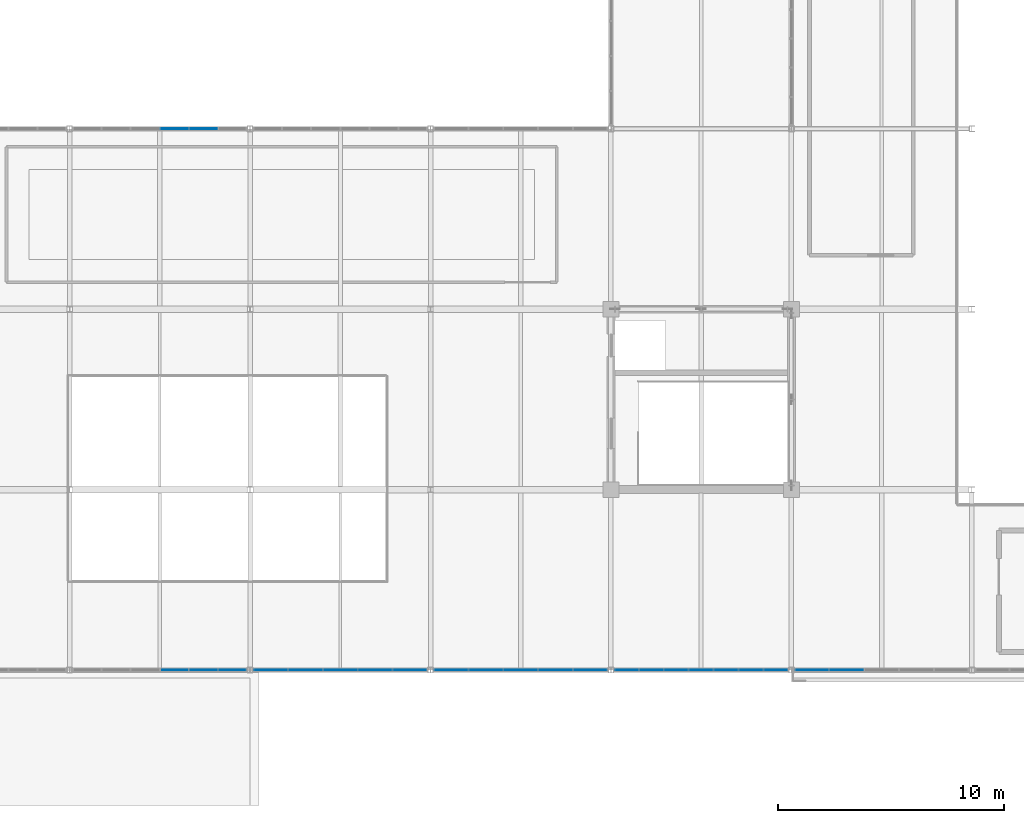
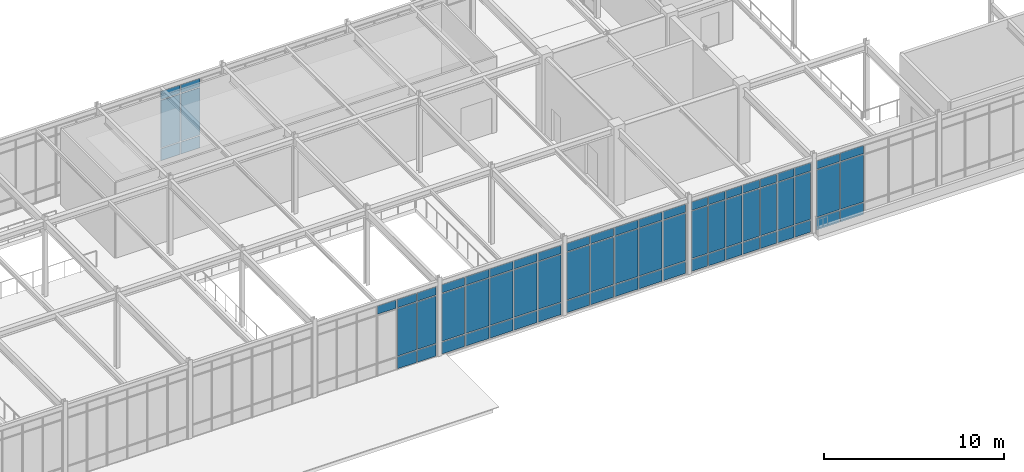
# One storey, part 92 of 184: 70 plates, 6 elements without a shape of their own.
"""IFC4 building model written with IfcOpenShell, lengths in metres."""

from ifc_helpers import new_model, si_unit, direction, frame, origin, origin_2d, place, context, subcontext, project, spatial, rectangle, extrude, material, layer, layer_set, type_object, element, aggregate, save


model = new_model("IFC4")

# Units and contexts
model_context = context("Model", 3, precision=1e-05, world=origin(), true_north=direction((0.0, 1.0)))
body_context = subcontext(model_context, "Body", "Model", "MODEL_VIEW")
ifc_project = project(units=[si_unit("LENGTHUNIT", "METRE"), si_unit("AREAUNIT", "SQUARE_METRE"), si_unit("VOLUMEUNIT", "CUBIC_METRE"), si_unit("PLANEANGLEUNIT", "RADIAN"), si_unit("MASSUNIT", "GRAM", prefix="KILO")], contexts=[model_context])

# Site, building, storey
site_placement = place(None, origin())
site = spatial("IfcSite", under=ifc_project, at=site_placement, CompositionType="ELEMENT")
building_placement = place(site_placement, origin())
building = spatial("IfcBuilding", under=site, at=building_placement, Name="Zhaolan Boulevard Law Courts", CompositionType="ELEMENT")
storey_placement = place(building_placement, frame((0.0, 0.0, 5.39990234375)))
storey = spatial("IfcBuildingStorey", under=building, at=storey_placement, Name="L01", CompositionType="ELEMENT", Elevation=5.39990234375)

# Curtain wall, plates
ifc_material_1 = material(Name="Thermally broken aluminium and low-E glazing", Category="aluminium")
curtain_wall_type_1 = type_object("IfcCurtainWallType", Name="CURTAIN WALL M15", PredefinedType="USERDEFINED", material=ifc_material_1)
curtain_wall_1_placement = place(storey_placement, origin())
curtain_wall_1 = element("IfcCurtainWall", 1, at=curtain_wall_1_placement, inside=storey, type_object=curtain_wall_type_1, Name="Curtain Wall CW-L01-039", ObjectType="CURTAIN WALL", PredefinedType="USERDEFINED")
ifc_material_2 = material(Name="Acoustic laminated low-E glazing", Category="glass")
ifc_layer = layer(ifc_material_2, 0.031982421875)
ifc_layer_set = layer_set([ifc_layer])
plate_type = type_object("IfcPlateType", Name="CWPANEL LOW E32", PredefinedType="CURTAIN_PANEL", material=ifc_layer_set)
plate_1_placement = place(storey_placement, frame((96.6455078125, 6.0, 4.20556640625), z_axis=(0.0, 0.0, 1.0), x_axis=(1.0, 0.0, 0.0)))
plate_1 = element("IfcPlate", 2, at=plate_1_placement, type_object=plate_type, Name="CW-L01-039 panel 4.3", PredefinedType="CURTAIN_PANEL", context=body_context, shape_type="SweptSolid", body=[
    extrude(rectangle(XDim=1.22607421875, YDim=0.031982421875, at=origin_2d()), origin(), (0.0, 0.0, 1.0), 0.552490234375),
])
plate_2_placement = place(storey_placement, frame((97.9365234375, 6.0, 0.06494140625), z_axis=(0.0, 0.0, 1.0), x_axis=(1.0, 0.0, 0.0)))
plate_2 = element("IfcPlate", 3, at=plate_2_placement, type_object=plate_type, Name="CW-L01-039 panel 5.1", PredefinedType="CURTAIN_PANEL", context=body_context, shape_type="SweptSolid", body=[
    extrude(rectangle(XDim=1.22607421875, YDim=0.031982421875, at=origin_2d()), origin(), (0.0, 0.0, 1.0), 0.802490234375),
])
plate_3_placement = place(storey_placement, frame((97.9365234375, 6.0, 0.9326171875), z_axis=(0.0, 0.0, 1.0), x_axis=(1.0, 0.0, 0.0)))
plate_3 = element("IfcPlate", 4, at=plate_3_placement, type_object=plate_type, Name="CW-L01-039 panel 5.2", PredefinedType="CURTAIN_PANEL", context=body_context, shape_type="SweptSolid", body=[
    extrude(rectangle(XDim=1.22607421875, YDim=0.031982421875, at=origin_2d()), origin(), (0.0, 0.0, 1.0), 3.2080078125),
])
plate_4_placement = place(storey_placement, frame((97.9365234375, 6.0, 4.20556640625), z_axis=(0.0, 0.0, 1.0), x_axis=(1.0, 0.0, 0.0)))
plate_4 = element("IfcPlate", 5, at=plate_4_placement, type_object=plate_type, Name="CW-L01-039 panel 5.3", PredefinedType="CURTAIN_PANEL", context=body_context, shape_type="SweptSolid", body=[
    extrude(rectangle(XDim=1.22607421875, YDim=0.031982421875, at=origin_2d()), origin(), (0.0, 0.0, 1.0), 0.552490234375),
])
plate_5_placement = place(storey_placement, frame((99.211181640625, 6.0, 0.06494140625), z_axis=(0.0, 0.0, 1.0), x_axis=(1.0, 0.0, 0.0)))
plate_5 = element("IfcPlate", 6, at=plate_5_placement, type_object=plate_type, Name="CW-L01-039 panel 6.1", PredefinedType="CURTAIN_PANEL", context=body_context, shape_type="SweptSolid", body=[
    extrude(rectangle(XDim=1.193603515625, YDim=0.031982421875, at=origin_2d()), origin(), (0.0, 0.0, 1.0), 0.802490234375),
])
plate_6_placement = place(storey_placement, frame((99.211181640625, 6.0, 0.9326171875), z_axis=(0.0, 0.0, 1.0), x_axis=(1.0, 0.0, 0.0)))
plate_6 = element("IfcPlate", 7, at=plate_6_placement, type_object=plate_type, Name="CW-L01-039 panel 6.2", PredefinedType="CURTAIN_PANEL", context=body_context, shape_type="SweptSolid", body=[
    extrude(rectangle(XDim=1.193603515625, YDim=0.031982421875, at=origin_2d()), origin(), (0.0, 0.0, 1.0), 3.2080078125),
])
plate_7_placement = place(storey_placement, frame((99.211181640625, 6.0, 4.20556640625), z_axis=(0.0, 0.0, 1.0), x_axis=(1.0, 0.0, 0.0)))
plate_7 = element("IfcPlate", 8, at=plate_7_placement, type_object=plate_type, Name="CW-L01-039 panel 6.3", PredefinedType="CURTAIN_PANEL", context=body_context, shape_type="SweptSolid", body=[
    extrude(rectangle(XDim=1.193603515625, YDim=0.031982421875, at=origin_2d()), origin(), (0.0, 0.0, 1.0), 0.552490234375),
])
aggregate(curtain_wall_1, [plate_1, plate_2, plate_3, plate_4, plate_5, plate_6, plate_7])

ifc_material_3 = material(Name="Thermally broken aluminium and low-E glazing", Category="aluminium")
curtain_wall_type_2 = type_object("IfcCurtainWallType", Name="CURTAIN WALL M16", PredefinedType="USERDEFINED", material=ifc_material_3)
curtain_wall_2_placement = place(storey_placement, origin())
curtain_wall_2 = element("IfcCurtainWall", 9, at=curtain_wall_2_placement, inside=storey, type_object=curtain_wall_type_2, Name="Curtain Wall CW-L01-040", ObjectType="CURTAIN WALL", PredefinedType="USERDEFINED")
plate_8_placement = place(storey_placement, frame((100.91796875, 6.0, 0.06494140625), z_axis=(0.0, 0.0, 1.0), x_axis=(1.0, 0.0, 0.0)))
plate_8 = element("IfcPlate", 10, at=plate_8_placement, type_object=plate_type, Name="CW-L01-040 panel 1.1", PredefinedType="CURTAIN_PANEL", context=body_context, shape_type="SweptSolid", body=[
    extrude(rectangle(XDim=1.45166015625, YDim=0.031982421875, at=origin_2d()), origin(), (0.0, 0.0, 1.0), 0.802490234375),
])
plate_9_placement = place(storey_placement, frame((100.91796875, 6.0, 0.9326171875), z_axis=(0.0, 0.0, 1.0), x_axis=(1.0, 0.0, 0.0)))
plate_9 = element("IfcPlate", 11, at=plate_9_placement, type_object=plate_type, Name="CW-L01-040 panel 1.2", PredefinedType="CURTAIN_PANEL", context=body_context, shape_type="SweptSolid", body=[
    extrude(rectangle(XDim=1.45166015625, YDim=0.031982421875, at=origin_2d()), origin(), (0.0, 0.0, 1.0), 3.2080078125),
])
plate_10_placement = place(storey_placement, frame((100.91796875, 6.0, 4.20556640625), z_axis=(0.0, 0.0, 1.0), x_axis=(1.0, 0.0, 0.0)))
plate_10 = element("IfcPlate", 12, at=plate_10_placement, type_object=plate_type, Name="CW-L01-040 panel 1.3", PredefinedType="CURTAIN_PANEL", context=body_context, shape_type="SweptSolid", body=[
    extrude(rectangle(XDim=1.45166015625, YDim=0.031982421875, at=origin_2d()), origin(), (0.0, 0.0, 1.0), 0.552490234375),
])
plate_11_placement = place(storey_placement, frame((102.45068359375, 6.0, 0.06494140625), z_axis=(0.0, 0.0, 1.0), x_axis=(1.0, 0.0, 0.0)))
plate_11 = element("IfcPlate", 13, at=plate_11_placement, type_object=plate_type, Name="CW-L01-040 panel 2.1", PredefinedType="CURTAIN_PANEL", context=body_context, shape_type="SweptSolid", body=[
    extrude(rectangle(XDim=1.484130859375, YDim=0.031982421875, at=origin_2d()), origin(), (0.0, 0.0, 1.0), 0.802490234375),
])
plate_12_placement = place(storey_placement, frame((102.45068359375, 6.0, 0.9326171875), z_axis=(0.0, 0.0, 1.0), x_axis=(1.0, 0.0, 0.0)))
plate_12 = element("IfcPlate", 14, at=plate_12_placement, type_object=plate_type, Name="CW-L01-040 panel 2.2", PredefinedType="CURTAIN_PANEL", context=body_context, shape_type="SweptSolid", body=[
    extrude(rectangle(XDim=1.484130859375, YDim=0.031982421875, at=origin_2d()), origin(), (0.0, 0.0, 1.0), 3.2080078125),
])
plate_13_placement = place(storey_placement, frame((102.45068359375, 6.0, 4.20556640625), z_axis=(0.0, 0.0, 1.0), x_axis=(1.0, 0.0, 0.0)))
plate_13 = element("IfcPlate", 15, at=plate_13_placement, type_object=plate_type, Name="CW-L01-040 panel 2.3", PredefinedType="CURTAIN_PANEL", context=body_context, shape_type="SweptSolid", body=[
    extrude(rectangle(XDim=1.484130859375, YDim=0.031982421875, at=origin_2d()), origin(), (0.0, 0.0, 1.0), 0.552490234375),
])
plate_14_placement = place(storey_placement, frame((104.0, 6.0, 0.06494140625), z_axis=(0.0, 0.0, 1.0), x_axis=(1.0, 0.0, 0.0)))
plate_14 = element("IfcPlate", 16, at=plate_14_placement, type_object=plate_type, Name="CW-L01-040 panel 3.1", PredefinedType="CURTAIN_PANEL", context=body_context, shape_type="SweptSolid", body=[
    extrude(rectangle(XDim=1.484130859375, YDim=0.031982421875, at=origin_2d()), origin(), (0.0, 0.0, 1.0), 0.802490234375),
])
plate_15_placement = place(storey_placement, frame((104.0, 6.0, 0.9326171875), z_axis=(0.0, 0.0, 1.0), x_axis=(1.0, 0.0, 0.0)))
plate_15 = element("IfcPlate", 17, at=plate_15_placement, type_object=plate_type, Name="CW-L01-040 panel 3.2", PredefinedType="CURTAIN_PANEL", context=body_context, shape_type="SweptSolid", body=[
    extrude(rectangle(XDim=1.484130859375, YDim=0.031982421875, at=origin_2d()), origin(), (0.0, 0.0, 1.0), 3.2080078125),
])
plate_16_placement = place(storey_placement, frame((104.0, 6.0, 4.20556640625), z_axis=(0.0, 0.0, 1.0), x_axis=(1.0, 0.0, 0.0)))
plate_16 = element("IfcPlate", 18, at=plate_16_placement, type_object=plate_type, Name="CW-L01-040 panel 3.3", PredefinedType="CURTAIN_PANEL", context=body_context, shape_type="SweptSolid", body=[
    extrude(rectangle(XDim=1.484130859375, YDim=0.031982421875, at=origin_2d()), origin(), (0.0, 0.0, 1.0), 0.552490234375),
])
plate_17_placement = place(storey_placement, frame((105.54931640625, 6.0, 0.06494140625), z_axis=(0.0, 0.0, 1.0), x_axis=(1.0, 0.0, 0.0)))
plate_17 = element("IfcPlate", 19, at=plate_17_placement, type_object=plate_type, Name="CW-L01-040 panel 4.1", PredefinedType="CURTAIN_PANEL", context=body_context, shape_type="SweptSolid", body=[
    extrude(rectangle(XDim=1.484130859375, YDim=0.031982421875, at=origin_2d()), origin(), (0.0, 0.0, 1.0), 0.802490234375),
])
plate_18_placement = place(storey_placement, frame((105.54931640625, 6.0, 0.9326171875), z_axis=(0.0, 0.0, 1.0), x_axis=(1.0, 0.0, 0.0)))
plate_18 = element("IfcPlate", 20, at=plate_18_placement, type_object=plate_type, Name="CW-L01-040 panel 4.2", PredefinedType="CURTAIN_PANEL", context=body_context, shape_type="SweptSolid", body=[
    extrude(rectangle(XDim=1.484130859375, YDim=0.031982421875, at=origin_2d()), origin(), (0.0, 0.0, 1.0), 3.2080078125),
])
plate_19_placement = place(storey_placement, frame((105.54931640625, 6.0, 4.20556640625), z_axis=(0.0, 0.0, 1.0), x_axis=(1.0, 0.0, 0.0)))
plate_19 = element("IfcPlate", 21, at=plate_19_placement, type_object=plate_type, Name="CW-L01-040 panel 4.3", PredefinedType="CURTAIN_PANEL", context=body_context, shape_type="SweptSolid", body=[
    extrude(rectangle(XDim=1.484130859375, YDim=0.031982421875, at=origin_2d()), origin(), (0.0, 0.0, 1.0), 0.552490234375),
])
plate_20_placement = place(storey_placement, frame((107.08203125, 6.0, 0.06494140625), z_axis=(0.0, 0.0, 1.0), x_axis=(1.0, 0.0, 0.0)))
plate_20 = element("IfcPlate", 22, at=plate_20_placement, type_object=plate_type, Name="CW-L01-040 panel 5.1", PredefinedType="CURTAIN_PANEL", context=body_context, shape_type="SweptSolid", body=[
    extrude(rectangle(XDim=1.45166015625, YDim=0.031982421875, at=origin_2d()), origin(), (0.0, 0.0, 1.0), 0.802490234375),
])
plate_21_placement = place(storey_placement, frame((107.08203125, 6.0, 0.9326171875), z_axis=(0.0, 0.0, 1.0), x_axis=(1.0, 0.0, 0.0)))
plate_21 = element("IfcPlate", 23, at=plate_21_placement, type_object=plate_type, Name="CW-L01-040 panel 5.2", PredefinedType="CURTAIN_PANEL", context=body_context, shape_type="SweptSolid", body=[
    extrude(rectangle(XDim=1.45166015625, YDim=0.031982421875, at=origin_2d()), origin(), (0.0, 0.0, 1.0), 3.2080078125),
])
plate_22_placement = place(storey_placement, frame((107.08203125, 6.0, 4.20556640625), z_axis=(0.0, 0.0, 1.0), x_axis=(1.0, 0.0, 0.0)))
plate_22 = element("IfcPlate", 24, at=plate_22_placement, type_object=plate_type, Name="CW-L01-040 panel 5.3", PredefinedType="CURTAIN_PANEL", context=body_context, shape_type="SweptSolid", body=[
    extrude(rectangle(XDim=1.45166015625, YDim=0.031982421875, at=origin_2d()), origin(), (0.0, 0.0, 1.0), 0.552490234375),
])
aggregate(curtain_wall_2, [plate_8, plate_9, plate_10, plate_11, plate_12, plate_13, plate_14, plate_15, plate_16, plate_17, plate_18, plate_19, plate_20, plate_21, plate_22])

ifc_material_4 = material(Name="Thermally broken aluminium and low-E glazing", Category="aluminium")
curtain_wall_type_3 = type_object("IfcCurtainWallType", Name="CURTAIN WALL M17", PredefinedType="USERDEFINED", material=ifc_material_4)
curtain_wall_3_placement = place(storey_placement, origin())
curtain_wall_3 = element("IfcCurtainWall", 25, at=curtain_wall_3_placement, inside=storey, type_object=curtain_wall_type_3, Name="Curtain Wall CW-L01-041", ObjectType="CURTAIN WALL", PredefinedType="USERDEFINED")
plate_23_placement = place(storey_placement, frame((108.91796875, 6.0, 0.06494140625), z_axis=(0.0, 0.0, 1.0), x_axis=(1.0, 0.0, 0.0)))
plate_23 = element("IfcPlate", 26, at=plate_23_placement, type_object=plate_type, Name="CW-L01-041 panel 1.1", PredefinedType="CURTAIN_PANEL", context=body_context, shape_type="SweptSolid", body=[
    extrude(rectangle(XDim=1.45166015625, YDim=0.031982421875, at=origin_2d()), origin(), (0.0, 0.0, 1.0), 0.802490234375),
])
plate_24_placement = place(storey_placement, frame((108.91796875, 6.0, 0.9326171875), z_axis=(0.0, 0.0, 1.0), x_axis=(1.0, 0.0, 0.0)))
plate_24 = element("IfcPlate", 27, at=plate_24_placement, type_object=plate_type, Name="CW-L01-041 panel 1.2", PredefinedType="CURTAIN_PANEL", context=body_context, shape_type="SweptSolid", body=[
    extrude(rectangle(XDim=1.45166015625, YDim=0.031982421875, at=origin_2d()), origin(), (0.0, 0.0, 1.0), 3.2080078125),
])
plate_25_placement = place(storey_placement, frame((108.91796875, 6.0, 4.20556640625), z_axis=(0.0, 0.0, 1.0), x_axis=(1.0, 0.0, 0.0)))
plate_25 = element("IfcPlate", 28, at=plate_25_placement, type_object=plate_type, Name="CW-L01-041 panel 1.3", PredefinedType="CURTAIN_PANEL", context=body_context, shape_type="SweptSolid", body=[
    extrude(rectangle(XDim=1.45166015625, YDim=0.031982421875, at=origin_2d()), origin(), (0.0, 0.0, 1.0), 0.552490234375),
])
plate_26_placement = place(storey_placement, frame((110.45068359375, 6.0, 0.06494140625), z_axis=(0.0, 0.0, 1.0), x_axis=(1.0, 0.0, 0.0)))
plate_26 = element("IfcPlate", 29, at=plate_26_placement, type_object=plate_type, Name="CW-L01-041 panel 2.1", PredefinedType="CURTAIN_PANEL", context=body_context, shape_type="SweptSolid", body=[
    extrude(rectangle(XDim=1.484130859375, YDim=0.031982421875, at=origin_2d()), origin(), (0.0, 0.0, 1.0), 0.802490234375),
])
plate_27_placement = place(storey_placement, frame((110.45068359375, 6.0, 0.9326171875), z_axis=(0.0, 0.0, 1.0), x_axis=(1.0, 0.0, 0.0)))
plate_27 = element("IfcPlate", 30, at=plate_27_placement, type_object=plate_type, Name="CW-L01-041 panel 2.2", PredefinedType="CURTAIN_PANEL", context=body_context, shape_type="SweptSolid", body=[
    extrude(rectangle(XDim=1.484130859375, YDim=0.031982421875, at=origin_2d()), origin(), (0.0, 0.0, 1.0), 3.2080078125),
])
plate_28_placement = place(storey_placement, frame((110.45068359375, 6.0, 4.20556640625), z_axis=(0.0, 0.0, 1.0), x_axis=(1.0, 0.0, 0.0)))
plate_28 = element("IfcPlate", 31, at=plate_28_placement, type_object=plate_type, Name="CW-L01-041 panel 2.3", PredefinedType="CURTAIN_PANEL", context=body_context, shape_type="SweptSolid", body=[
    extrude(rectangle(XDim=1.484130859375, YDim=0.031982421875, at=origin_2d()), origin(), (0.0, 0.0, 1.0), 0.552490234375),
])
plate_29_placement = place(storey_placement, frame((112.0, 6.0, 0.06494140625), z_axis=(0.0, 0.0, 1.0), x_axis=(1.0, 0.0, 0.0)))
plate_29 = element("IfcPlate", 32, at=plate_29_placement, type_object=plate_type, Name="CW-L01-041 panel 3.1", PredefinedType="CURTAIN_PANEL", context=body_context, shape_type="SweptSolid", body=[
    extrude(rectangle(XDim=1.484130859375, YDim=0.031982421875, at=origin_2d()), origin(), (0.0, 0.0, 1.0), 0.802490234375),
])
plate_30_placement = place(storey_placement, frame((112.0, 6.0, 0.9326171875), z_axis=(0.0, 0.0, 1.0), x_axis=(1.0, 0.0, 0.0)))
plate_30 = element("IfcPlate", 33, at=plate_30_placement, type_object=plate_type, Name="CW-L01-041 panel 3.2", PredefinedType="CURTAIN_PANEL", context=body_context, shape_type="SweptSolid", body=[
    extrude(rectangle(XDim=1.484130859375, YDim=0.031982421875, at=origin_2d()), origin(), (0.0, 0.0, 1.0), 3.2080078125),
])
plate_31_placement = place(storey_placement, frame((112.0, 6.0, 4.20556640625), z_axis=(0.0, 0.0, 1.0), x_axis=(1.0, 0.0, 0.0)))
plate_31 = element("IfcPlate", 34, at=plate_31_placement, type_object=plate_type, Name="CW-L01-041 panel 3.3", PredefinedType="CURTAIN_PANEL", context=body_context, shape_type="SweptSolid", body=[
    extrude(rectangle(XDim=1.484130859375, YDim=0.031982421875, at=origin_2d()), origin(), (0.0, 0.0, 1.0), 0.552490234375),
])
plate_32_placement = place(storey_placement, frame((113.54931640625, 6.0, 0.06494140625), z_axis=(0.0, 0.0, 1.0), x_axis=(1.0, 0.0, 0.0)))
plate_32 = element("IfcPlate", 35, at=plate_32_placement, type_object=plate_type, Name="CW-L01-041 panel 4.1", PredefinedType="CURTAIN_PANEL", context=body_context, shape_type="SweptSolid", body=[
    extrude(rectangle(XDim=1.484130859375, YDim=0.031982421875, at=origin_2d()), origin(), (0.0, 0.0, 1.0), 0.802490234375),
])
plate_33_placement = place(storey_placement, frame((113.54931640625, 6.0, 0.9326171875), z_axis=(0.0, 0.0, 1.0), x_axis=(1.0, 0.0, 0.0)))
plate_33 = element("IfcPlate", 36, at=plate_33_placement, type_object=plate_type, Name="CW-L01-041 panel 4.2", PredefinedType="CURTAIN_PANEL", context=body_context, shape_type="SweptSolid", body=[
    extrude(rectangle(XDim=1.484130859375, YDim=0.031982421875, at=origin_2d()), origin(), (0.0, 0.0, 1.0), 3.2080078125),
])
plate_34_placement = place(storey_placement, frame((113.54931640625, 6.0, 4.20556640625), z_axis=(0.0, 0.0, 1.0), x_axis=(1.0, 0.0, 0.0)))
plate_34 = element("IfcPlate", 37, at=plate_34_placement, type_object=plate_type, Name="CW-L01-041 panel 4.3", PredefinedType="CURTAIN_PANEL", context=body_context, shape_type="SweptSolid", body=[
    extrude(rectangle(XDim=1.484130859375, YDim=0.031982421875, at=origin_2d()), origin(), (0.0, 0.0, 1.0), 0.552490234375),
])
plate_35_placement = place(storey_placement, frame((115.08203125, 6.0, 0.06494140625), z_axis=(0.0, 0.0, 1.0), x_axis=(1.0, 0.0, 0.0)))
plate_35 = element("IfcPlate", 38, at=plate_35_placement, type_object=plate_type, Name="CW-L01-041 panel 5.1", PredefinedType="CURTAIN_PANEL", context=body_context, shape_type="SweptSolid", body=[
    extrude(rectangle(XDim=1.45166015625, YDim=0.031982421875, at=origin_2d()), origin(), (0.0, 0.0, 1.0), 0.802490234375),
])
plate_36_placement = place(storey_placement, frame((115.08203125, 6.0, 0.9326171875), z_axis=(0.0, 0.0, 1.0), x_axis=(1.0, 0.0, 0.0)))
plate_36 = element("IfcPlate", 39, at=plate_36_placement, type_object=plate_type, Name="CW-L01-041 panel 5.2", PredefinedType="CURTAIN_PANEL", context=body_context, shape_type="SweptSolid", body=[
    extrude(rectangle(XDim=1.45166015625, YDim=0.031982421875, at=origin_2d()), origin(), (0.0, 0.0, 1.0), 3.2080078125),
])
plate_37_placement = place(storey_placement, frame((115.08203125, 6.0, 4.20556640625), z_axis=(0.0, 0.0, 1.0), x_axis=(1.0, 0.0, 0.0)))
plate_37 = element("IfcPlate", 40, at=plate_37_placement, type_object=plate_type, Name="CW-L01-041 panel 5.3", PredefinedType="CURTAIN_PANEL", context=body_context, shape_type="SweptSolid", body=[
    extrude(rectangle(XDim=1.45166015625, YDim=0.031982421875, at=origin_2d()), origin(), (0.0, 0.0, 1.0), 0.552490234375),
])
aggregate(curtain_wall_3, [plate_23, plate_24, plate_25, plate_26, plate_27, plate_28, plate_29, plate_30, plate_31, plate_32, plate_33, plate_34, plate_35, plate_36, plate_37])

ifc_material_5 = material(Name="Thermally broken aluminium and low-E glazing", Category="aluminium")
curtain_wall_type_4 = type_object("IfcCurtainWallType", Name="CURTAIN WALL M18", PredefinedType="USERDEFINED", material=ifc_material_5)
curtain_wall_4_placement = place(storey_placement, origin())
curtain_wall_4 = element("IfcCurtainWall", 41, at=curtain_wall_4_placement, inside=storey, type_object=curtain_wall_type_4, Name="Curtain Wall CW-L01-042", ObjectType="CURTAIN WALL", PredefinedType="USERDEFINED")
plate_38_placement = place(storey_placement, frame((116.696533203125, 6.0, 0.06494140625), z_axis=(0.0, 0.0, 1.0), x_axis=(1.0, 0.0, 0.0)))
plate_38 = element("IfcPlate", 42, at=plate_38_placement, type_object=plate_type, Name="CW-L01-042 panel 1.1", PredefinedType="CURTAIN_PANEL", context=body_context, shape_type="SweptSolid", body=[
    extrude(rectangle(XDim=1.009033203125, YDim=0.031982421875, at=origin_2d()), origin(), (0.0, 0.0, 1.0), 0.802490234375),
])
plate_39_placement = place(storey_placement, frame((116.696533203125, 6.0, 0.9326171875), z_axis=(0.0, 0.0, 1.0), x_axis=(1.0, 0.0, 0.0)))
plate_39 = element("IfcPlate", 43, at=plate_39_placement, type_object=plate_type, Name="CW-L01-042 panel 1.2", PredefinedType="CURTAIN_PANEL", context=body_context, shape_type="SweptSolid", body=[
    extrude(rectangle(XDim=1.009033203125, YDim=0.031982421875, at=origin_2d()), origin(), (0.0, 0.0, 1.0), 3.2080078125),
])
plate_40_placement = place(storey_placement, frame((116.696533203125, 6.0, 4.20556640625), z_axis=(0.0, 0.0, 1.0), x_axis=(1.0, 0.0, 0.0)))
plate_40 = element("IfcPlate", 44, at=plate_40_placement, type_object=plate_type, Name="CW-L01-042 panel 1.3", PredefinedType="CURTAIN_PANEL", context=body_context, shape_type="SweptSolid", body=[
    extrude(rectangle(XDim=1.009033203125, YDim=0.031982421875, at=origin_2d()), origin(), (0.0, 0.0, 1.0), 0.552490234375),
])
plate_41_placement = place(storey_placement, frame((117.786865234375, 6.0, 0.06494140625), z_axis=(0.0, 0.0, 1.0), x_axis=(1.0, 0.0, 0.0)))
plate_41 = element("IfcPlate", 45, at=plate_41_placement, type_object=plate_type, Name="CW-L01-042 panel 2.1", PredefinedType="CURTAIN_PANEL", context=body_context, shape_type="SweptSolid", body=[
    extrude(rectangle(XDim=1.04150390625, YDim=0.031982421875, at=origin_2d()), origin(), (0.0, 0.0, 1.0), 0.802490234375),
])
plate_42_placement = place(storey_placement, frame((117.786865234375, 6.0, 0.9326171875), z_axis=(0.0, 0.0, 1.0), x_axis=(1.0, 0.0, 0.0)))
plate_42 = element("IfcPlate", 46, at=plate_42_placement, type_object=plate_type, Name="CW-L01-042 panel 2.2", PredefinedType="CURTAIN_PANEL", context=body_context, shape_type="SweptSolid", body=[
    extrude(rectangle(XDim=1.04150390625, YDim=0.031982421875, at=origin_2d()), origin(), (0.0, 0.0, 1.0), 3.2080078125),
])
plate_43_placement = place(storey_placement, frame((117.786865234375, 6.0, 4.20556640625), z_axis=(0.0, 0.0, 1.0), x_axis=(1.0, 0.0, 0.0)))
plate_43 = element("IfcPlate", 47, at=plate_43_placement, type_object=plate_type, Name="CW-L01-042 panel 2.3", PredefinedType="CURTAIN_PANEL", context=body_context, shape_type="SweptSolid", body=[
    extrude(rectangle(XDim=1.04150390625, YDim=0.031982421875, at=origin_2d()), origin(), (0.0, 0.0, 1.0), 0.552490234375),
])
plate_44_placement = place(storey_placement, frame((118.893310546875, 6.0, 0.06494140625), z_axis=(0.0, 0.0, 1.0), x_axis=(1.0, 0.0, 0.0)))
plate_44 = element("IfcPlate", 48, at=plate_44_placement, type_object=plate_type, Name="CW-L01-042 panel 3.1", PredefinedType="CURTAIN_PANEL", context=body_context, shape_type="SweptSolid", body=[
    extrude(rectangle(XDim=1.04150390625, YDim=0.031982421875, at=origin_2d()), origin(), (0.0, 0.0, 1.0), 0.802490234375),
])
plate_45_placement = place(storey_placement, frame((118.893310546875, 6.0, 0.9326171875), z_axis=(0.0, 0.0, 1.0), x_axis=(1.0, 0.0, 0.0)))
plate_45 = element("IfcPlate", 49, at=plate_45_placement, type_object=plate_type, Name="CW-L01-042 panel 3.2", PredefinedType="CURTAIN_PANEL", context=body_context, shape_type="SweptSolid", body=[
    extrude(rectangle(XDim=1.04150390625, YDim=0.031982421875, at=origin_2d()), origin(), (0.0, 0.0, 1.0), 3.2080078125),
])
plate_46_placement = place(storey_placement, frame((118.893310546875, 6.0, 4.20556640625), z_axis=(0.0, 0.0, 1.0), x_axis=(1.0, 0.0, 0.0)))
plate_46 = element("IfcPlate", 50, at=plate_46_placement, type_object=plate_type, Name="CW-L01-042 panel 3.3", PredefinedType="CURTAIN_PANEL", context=body_context, shape_type="SweptSolid", body=[
    extrude(rectangle(XDim=1.04150390625, YDim=0.031982421875, at=origin_2d()), origin(), (0.0, 0.0, 1.0), 0.552490234375),
])
plate_47_placement = place(storey_placement, frame((120.0, 6.0, 0.06494140625), z_axis=(0.0, 0.0, 1.0), x_axis=(1.0, 0.0, 0.0)))
plate_47 = element("IfcPlate", 51, at=plate_47_placement, type_object=plate_type, Name="CW-L01-042 panel 4.1", PredefinedType="CURTAIN_PANEL", context=body_context, shape_type="SweptSolid", body=[
    extrude(rectangle(XDim=1.04150390625, YDim=0.031982421875, at=origin_2d()), origin(), (0.0, 0.0, 1.0), 0.802490234375),
])
plate_48_placement = place(storey_placement, frame((120.0, 6.0, 0.9326171875), z_axis=(0.0, 0.0, 1.0), x_axis=(1.0, 0.0, 0.0)))
plate_48 = element("IfcPlate", 52, at=plate_48_placement, type_object=plate_type, Name="CW-L01-042 panel 4.2", PredefinedType="CURTAIN_PANEL", context=body_context, shape_type="SweptSolid", body=[
    extrude(rectangle(XDim=1.04150390625, YDim=0.031982421875, at=origin_2d()), origin(), (0.0, 0.0, 1.0), 3.2080078125),
])
plate_49_placement = place(storey_placement, frame((120.0, 6.0, 4.20556640625), z_axis=(0.0, 0.0, 1.0), x_axis=(1.0, 0.0, 0.0)))
plate_49 = element("IfcPlate", 53, at=plate_49_placement, type_object=plate_type, Name="CW-L01-042 panel 4.3", PredefinedType="CURTAIN_PANEL", context=body_context, shape_type="SweptSolid", body=[
    extrude(rectangle(XDim=1.04150390625, YDim=0.031982421875, at=origin_2d()), origin(), (0.0, 0.0, 1.0), 0.552490234375),
])
plate_50_placement = place(storey_placement, frame((121.106689453125, 6.0, 0.06494140625), z_axis=(0.0, 0.0, 1.0), x_axis=(1.0, 0.0, 0.0)))
plate_50 = element("IfcPlate", 54, at=plate_50_placement, type_object=plate_type, Name="CW-L01-042 panel 5.1", PredefinedType="CURTAIN_PANEL", context=body_context, shape_type="SweptSolid", body=[
    extrude(rectangle(XDim=1.04150390625, YDim=0.031982421875, at=origin_2d()), origin(), (0.0, 0.0, 1.0), 0.802490234375),
])
plate_51_placement = place(storey_placement, frame((121.106689453125, 6.0, 0.9326171875), z_axis=(0.0, 0.0, 1.0), x_axis=(1.0, 0.0, 0.0)))
plate_51 = element("IfcPlate", 55, at=plate_51_placement, type_object=plate_type, Name="CW-L01-042 panel 5.2", PredefinedType="CURTAIN_PANEL", context=body_context, shape_type="SweptSolid", body=[
    extrude(rectangle(XDim=1.04150390625, YDim=0.031982421875, at=origin_2d()), origin(), (0.0, 0.0, 1.0), 3.2080078125),
])
plate_52_placement = place(storey_placement, frame((121.106689453125, 6.0, 4.20556640625), z_axis=(0.0, 0.0, 1.0), x_axis=(1.0, 0.0, 0.0)))
plate_52 = element("IfcPlate", 56, at=plate_52_placement, type_object=plate_type, Name="CW-L01-042 panel 5.3", PredefinedType="CURTAIN_PANEL", context=body_context, shape_type="SweptSolid", body=[
    extrude(rectangle(XDim=1.04150390625, YDim=0.031982421875, at=origin_2d()), origin(), (0.0, 0.0, 1.0), 0.552490234375),
])
plate_53_placement = place(storey_placement, frame((122.213134765625, 6.0, 0.06494140625), z_axis=(0.0, 0.0, 1.0), x_axis=(1.0, 0.0, 0.0)))
plate_53 = element("IfcPlate", 57, at=plate_53_placement, type_object=plate_type, Name="CW-L01-042 panel 6.1", PredefinedType="CURTAIN_PANEL", context=body_context, shape_type="SweptSolid", body=[
    extrude(rectangle(XDim=1.04150390625, YDim=0.031982421875, at=origin_2d()), origin(), (0.0, 0.0, 1.0), 0.802490234375),
])
plate_54_placement = place(storey_placement, frame((122.213134765625, 6.0, 0.9326171875), z_axis=(0.0, 0.0, 1.0), x_axis=(1.0, 0.0, 0.0)))
plate_54 = element("IfcPlate", 58, at=plate_54_placement, type_object=plate_type, Name="CW-L01-042 panel 6.2", PredefinedType="CURTAIN_PANEL", context=body_context, shape_type="SweptSolid", body=[
    extrude(rectangle(XDim=1.04150390625, YDim=0.031982421875, at=origin_2d()), origin(), (0.0, 0.0, 1.0), 3.2080078125),
])
plate_55_placement = place(storey_placement, frame((122.213134765625, 6.0, 4.20556640625), z_axis=(0.0, 0.0, 1.0), x_axis=(1.0, 0.0, 0.0)))
plate_55 = element("IfcPlate", 59, at=plate_55_placement, type_object=plate_type, Name="CW-L01-042 panel 6.3", PredefinedType="CURTAIN_PANEL", context=body_context, shape_type="SweptSolid", body=[
    extrude(rectangle(XDim=1.04150390625, YDim=0.031982421875, at=origin_2d()), origin(), (0.0, 0.0, 1.0), 0.552490234375),
])
plate_56_placement = place(storey_placement, frame((123.303466796875, 6.0, 0.06494140625), z_axis=(0.0, 0.0, 1.0), x_axis=(1.0, 0.0, 0.0)))
plate_56 = element("IfcPlate", 60, at=plate_56_placement, type_object=plate_type, Name="CW-L01-042 panel 7.1", PredefinedType="CURTAIN_PANEL", context=body_context, shape_type="SweptSolid", body=[
    extrude(rectangle(XDim=1.009033203125, YDim=0.031982421875, at=origin_2d()), origin(), (0.0, 0.0, 1.0), 0.802490234375),
])
plate_57_placement = place(storey_placement, frame((123.303466796875, 6.0, 0.9326171875), z_axis=(0.0, 0.0, 1.0), x_axis=(1.0, 0.0, 0.0)))
plate_57 = element("IfcPlate", 61, at=plate_57_placement, type_object=plate_type, Name="CW-L01-042 panel 7.2", PredefinedType="CURTAIN_PANEL", context=body_context, shape_type="SweptSolid", body=[
    extrude(rectangle(XDim=1.009033203125, YDim=0.031982421875, at=origin_2d()), origin(), (0.0, 0.0, 1.0), 3.2080078125),
])
plate_58_placement = place(storey_placement, frame((123.303466796875, 6.0, 4.20556640625), z_axis=(0.0, 0.0, 1.0), x_axis=(1.0, 0.0, 0.0)))
plate_58 = element("IfcPlate", 62, at=plate_58_placement, type_object=plate_type, Name="CW-L01-042 panel 7.3", PredefinedType="CURTAIN_PANEL", context=body_context, shape_type="SweptSolid", body=[
    extrude(rectangle(XDim=1.009033203125, YDim=0.031982421875, at=origin_2d()), origin(), (0.0, 0.0, 1.0), 0.552490234375),
])
aggregate(curtain_wall_4, [plate_38, plate_39, plate_40, plate_41, plate_42, plate_43, plate_44, plate_45, plate_46, plate_47, plate_48, plate_49, plate_50, plate_51, plate_52, plate_53, plate_54, plate_55, plate_56, plate_57, plate_58])

ifc_material_6 = material(Name="Thermally broken aluminium and low-E glazing", Category="aluminium")
curtain_wall_type_5 = type_object("IfcCurtainWallType", Name="CURTAIN WALL M5", PredefinedType="USERDEFINED", material=ifc_material_6)
curtain_wall_5_placement = place(storey_placement, origin())
curtain_wall_5 = element("IfcCurtainWall", 63, at=curtain_wall_5_placement, inside=storey, type_object=curtain_wall_type_5, Name="Curtain Wall CW-L01-053", ObjectType="CURTAIN WALL", PredefinedType="USERDEFINED")
plate_59_placement = place(storey_placement, frame((97.9365234375, 30.0, 0.06494140625), z_axis=(0.0, 0.0, 1.0), x_axis=(-1.0, 0.0, 0.0)))
plate_59 = element("IfcPlate", 64, at=plate_59_placement, type_object=plate_type, Name="CW-L01-053 panel 2.1", PredefinedType="CURTAIN_PANEL", context=body_context, shape_type="SweptSolid", body=[
    extrude(rectangle(XDim=1.22607421875, YDim=0.031982421875, at=origin_2d()), origin(), (0.0, 0.0, 1.0), 0.802490234375),
])
plate_60_placement = place(storey_placement, frame((97.9365234375, 30.0, 0.9326171875), z_axis=(0.0, 0.0, 1.0), x_axis=(-1.0, 0.0, 0.0)))
plate_60 = element("IfcPlate", 65, at=plate_60_placement, type_object=plate_type, Name="CW-L01-053 panel 2.2", PredefinedType="CURTAIN_PANEL", context=body_context, shape_type="SweptSolid", body=[
    extrude(rectangle(XDim=1.22607421875, YDim=0.031982421875, at=origin_2d()), origin(), (0.0, 0.0, 1.0), 3.2080078125),
])
plate_61_placement = place(storey_placement, frame((97.9365234375, 30.0, 4.20556640625), z_axis=(0.0, 0.0, 1.0), x_axis=(-1.0, 0.0, 0.0)))
plate_61 = element("IfcPlate", 66, at=plate_61_placement, type_object=plate_type, Name="CW-L01-053 panel 2.3", PredefinedType="CURTAIN_PANEL", context=body_context, shape_type="SweptSolid", body=[
    extrude(rectangle(XDim=1.22607421875, YDim=0.031982421875, at=origin_2d()), origin(), (0.0, 0.0, 1.0), 0.552490234375),
])
plate_62_placement = place(storey_placement, frame((96.6455078125, 30.0, 0.06494140625), z_axis=(0.0, 0.0, 1.0), x_axis=(-1.0, 0.0, 0.0)))
plate_62 = element("IfcPlate", 67, at=plate_62_placement, type_object=plate_type, Name="CW-L01-053 panel 3.1", PredefinedType="CURTAIN_PANEL", context=body_context, shape_type="SweptSolid", body=[
    extrude(rectangle(XDim=1.22607421875, YDim=0.031982421875, at=origin_2d()), origin(), (0.0, 0.0, 1.0), 0.802490234375),
])
plate_63_placement = place(storey_placement, frame((96.6455078125, 30.0, 0.9326171875), z_axis=(0.0, 0.0, 1.0), x_axis=(-1.0, 0.0, 0.0)))
plate_63 = element("IfcPlate", 68, at=plate_63_placement, type_object=plate_type, Name="CW-L01-053 panel 3.2", PredefinedType="CURTAIN_PANEL", context=body_context, shape_type="SweptSolid", body=[
    extrude(rectangle(XDim=1.22607421875, YDim=0.031982421875, at=origin_2d()), origin(), (0.0, 0.0, 1.0), 3.2080078125),
])
plate_64_placement = place(storey_placement, frame((96.6455078125, 30.0, 4.20556640625), z_axis=(0.0, 0.0, 1.0), x_axis=(-1.0, 0.0, 0.0)))
plate_64 = element("IfcPlate", 69, at=plate_64_placement, type_object=plate_type, Name="CW-L01-053 panel 3.3", PredefinedType="CURTAIN_PANEL", context=body_context, shape_type="SweptSolid", body=[
    extrude(rectangle(XDim=1.22607421875, YDim=0.031982421875, at=origin_2d()), origin(), (0.0, 0.0, 1.0), 0.552490234375),
])
aggregate(curtain_wall_5, [plate_59, plate_60, plate_61, plate_62, plate_63, plate_64])

ifc_material_7 = material(Name="Thermally broken aluminium and low-E glazing", Category="aluminium")
curtain_wall_type_6 = type_object("IfcCurtainWallType", Name="CURTAIN WALL M8", PredefinedType="USERDEFINED", material=ifc_material_7)
curtain_wall_6_placement = place(storey_placement, origin())
curtain_wall_6 = element("IfcCurtainWall", 70, at=curtain_wall_6_placement, inside=storey, type_object=curtain_wall_type_6, Name="Curtain Wall CW-L01-056", ObjectType="CURTAIN WALL", PredefinedType="USERDEFINED")
plate_65_placement = place(storey_placement, frame((124.91796875, 6.0, 0.06494140625), z_axis=(0.0, 0.0, 1.0), x_axis=(1.0, 0.0, 0.0)))
plate_65 = element("IfcPlate", 71, at=plate_65_placement, type_object=plate_type, Name="CW-L01-056 panel 1.1", PredefinedType="CURTAIN_PANEL", context=body_context, shape_type="SweptSolid", body=[
    extrude(rectangle(XDim=1.45166015625, YDim=0.031982421875, at=origin_2d()), origin(), (0.0, 0.0, 1.0), 0.802490234375),
])
plate_66_placement = place(storey_placement, frame((124.91796875, 6.0, 0.9326171875), z_axis=(0.0, 0.0, 1.0), x_axis=(1.0, 0.0, 0.0)))
plate_66 = element("IfcPlate", 72, at=plate_66_placement, type_object=plate_type, Name="CW-L01-056 panel 1.2", PredefinedType="CURTAIN_PANEL", context=body_context, shape_type="SweptSolid", body=[
    extrude(rectangle(XDim=1.45166015625, YDim=0.031982421875, at=origin_2d()), origin(), (0.0, 0.0, 1.0), 3.18798828125),
])
plate_67_placement = place(storey_placement, frame((124.91796875, 6.0, 4.185546875), z_axis=(0.0, 0.0, 1.0), x_axis=(1.0, 0.0, 0.0)))
plate_67 = element("IfcPlate", 73, at=plate_67_placement, type_object=plate_type, Name="CW-L01-056 panel 1.3", PredefinedType="CURTAIN_PANEL", context=body_context, shape_type="SweptSolid", body=[
    extrude(rectangle(XDim=1.45166015625, YDim=0.031982421875, at=origin_2d()), origin(), (0.0, 0.0, 1.0), 0.552490234375),
])
plate_68_placement = place(storey_placement, frame((126.45068359375, 6.0, 0.06494140625), z_axis=(0.0, 0.0, 1.0), x_axis=(1.0, 0.0, 0.0)))
plate_68 = element("IfcPlate", 74, at=plate_68_placement, type_object=plate_type, Name="CW-L01-056 panel 2.1", PredefinedType="CURTAIN_PANEL", context=body_context, shape_type="SweptSolid", body=[
    extrude(rectangle(XDim=1.484130859375, YDim=0.031982421875, at=origin_2d()), origin(), (0.0, 0.0, 1.0), 0.802490234375),
])
plate_69_placement = place(storey_placement, frame((126.45068359375, 6.0, 0.9326171875), z_axis=(0.0, 0.0, 1.0), x_axis=(1.0, 0.0, 0.0)))
plate_69 = element("IfcPlate", 75, at=plate_69_placement, type_object=plate_type, Name="CW-L01-056 panel 2.2", PredefinedType="CURTAIN_PANEL", context=body_context, shape_type="SweptSolid", body=[
    extrude(rectangle(XDim=1.484130859375, YDim=0.031982421875, at=origin_2d()), origin(), (0.0, 0.0, 1.0), 3.18798828125),
])
plate_70_placement = place(storey_placement, frame((126.45068359375, 6.0, 4.185546875), z_axis=(0.0, 0.0, 1.0), x_axis=(1.0, 0.0, 0.0)))
plate_70 = element("IfcPlate", 76, at=plate_70_placement, type_object=plate_type, Name="CW-L01-056 panel 2.3", PredefinedType="CURTAIN_PANEL", context=body_context, shape_type="SweptSolid", body=[
    extrude(rectangle(XDim=1.484130859375, YDim=0.031982421875, at=origin_2d()), origin(), (0.0, 0.0, 1.0), 0.552490234375),
])
aggregate(curtain_wall_6, [plate_65, plate_66, plate_67, plate_68, plate_69, plate_70])

save(model, "model.ifc")
